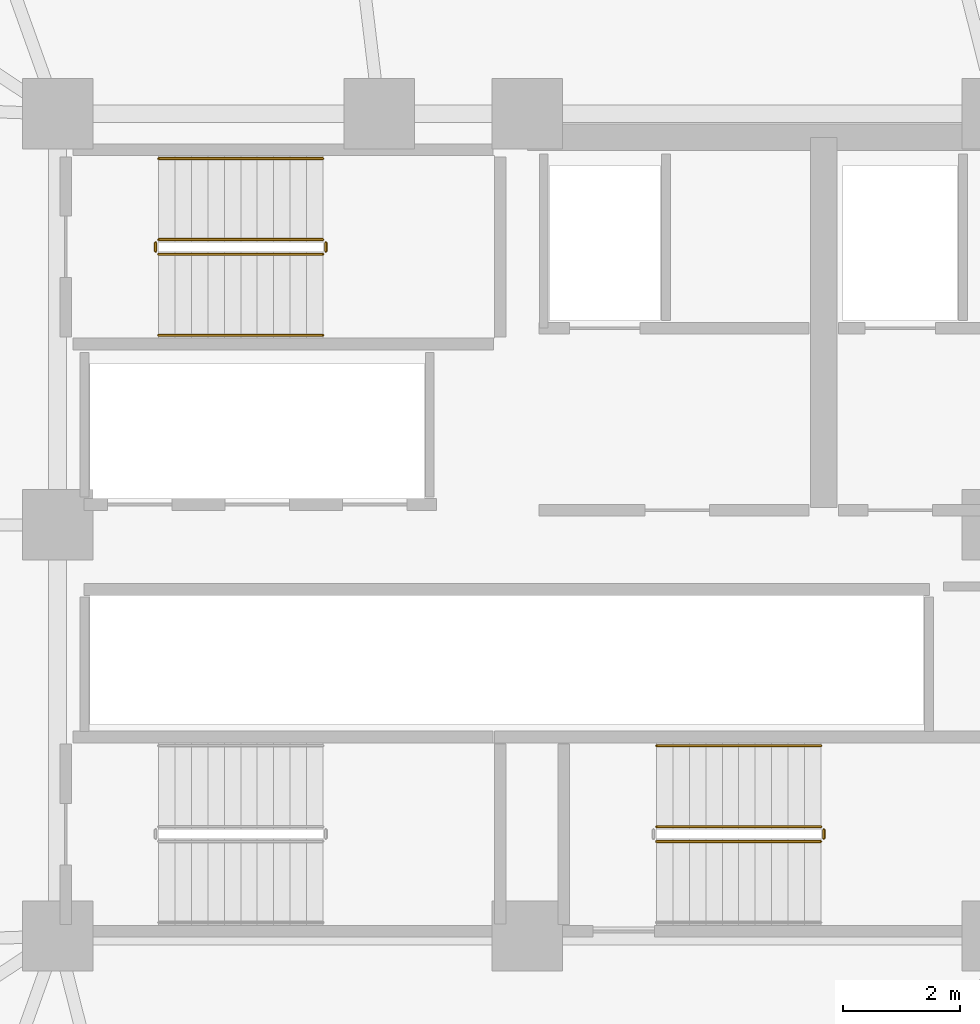
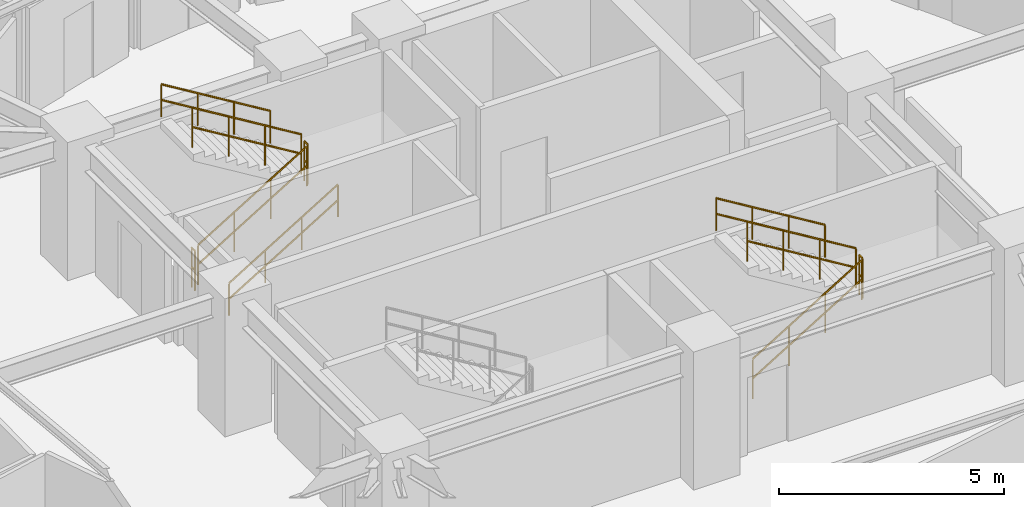
# One storey, part 34 of 35: 10 railings.
"""IFC4 building model written with IfcOpenShell, lengths in metres."""

from ifc_helpers import new_model, si_unit, direction, frame, origin, place, context, subcontext, project, spatial, polyline, outline, extrude, material, type_object, element, save


model = new_model("IFC4")

# Units and contexts
model_context = context("Model", 3, precision=1e-05, world=origin(), true_north=direction((0.0, 1.0)))
body_context = subcontext(model_context, "Body", "Model", "MODEL_VIEW")
ifc_project = project(units=[si_unit("LENGTHUNIT", "METRE"), si_unit("AREAUNIT", "SQUARE_METRE"), si_unit("VOLUMEUNIT", "CUBIC_METRE"), si_unit("PLANEANGLEUNIT", "RADIAN"), si_unit("MASSUNIT", "GRAM", prefix="KILO")], contexts=[model_context])

# Site, building, storey
site_placement = place(None, origin())
site = spatial("IfcSite", under=ifc_project, at=site_placement, CompositionType="ELEMENT")
building_placement = place(site_placement, origin())
building = spatial("IfcBuilding", under=site, at=building_placement, Name="Kelanora Arch Commons", CompositionType="ELEMENT")
storey_placement = place(building_placement, frame((0.0, 0.0, 121.35009765625)))
storey = spatial("IfcBuildingStorey", under=building, at=storey_placement, Name="L31", CompositionType="ELEMENT", Elevation=121.35009765625)

# Railings
ifc_material_1 = material(Name="Painted steel stair well guard", Category="steel")
railing_type_1 = type_object("IfcRailingType", Name="RAIL-STAIR-GRD", PredefinedType="GUARDRAIL", material=ifc_material_1)
railing_1_placement = place(storey_placement, frame((67.719970703125, 62.610107421875, 0.17041015625)))
element("IfcRailing", 1, at=railing_1_placement, inside=storey, type_object=railing_type_1, Name="L31 ST-T1 stair guard 1", PredefinedType="GUARDRAIL", context=body_context, shape_type="SweptSolid", body=[
    extrude(outline(polyline([(0.02392578125, 0.0), (0.011962890625, 0.020751953125), (-0.011962890625, 0.020751953125), (-0.02392578125, 0.0), (-0.011962890625, -0.020751953125), (0.011962890625, -0.020751953125), (0.02392578125, 0.0)])), frame((0.0, 0.0, 1.076171875), z_axis=(0.854169791009, 0.0, 0.51999420009), x_axis=(0.0, 1.0, 0.0)), (0.0, 0.0, 1.0), 3.278076171875),
    extrude(outline(polyline([(0.02392578125, 0.0), (0.011962890625, 0.020751953125), (-0.011962890625, 0.020751953125), (-0.02392578125, 0.0), (-0.011962890625, -0.020751953125), (0.011962890625, -0.020751953125), (0.02392578125, 0.0)])), frame((0.0, 0.0, 0.550048828125), z_axis=(0.854169791009, 0.0, 0.51999420009), x_axis=(0.0, 1.0, 0.0)), (0.0, 0.0, 1.0), 3.278076171875),
    extrude(outline(polyline([(0.02099609375, 0.0), (0.010498046875, 0.01806640625), (-0.010498046875, 0.01806640625), (-0.02099609375, 0.0), (-0.010498046875, -0.01806640625), (0.010498046875, -0.01806640625), (0.02099609375, 0.0)])), origin(), (0.0, 0.0, 1.0), 1.052001953125),
    extrude(outline(polyline([(0.02099609375, 0.0), (0.010498046875, 0.01806640625), (-0.010498046875, 0.01806640625), (-0.02099609375, 0.0), (-0.010498046875, -0.01806640625), (0.010498046875, -0.01806640625), (0.02099609375, 0.0)])), frame((0.933349609375, 0.0, 0.568115234375)), (0.0, 0.0, 1.0), 1.052001953125),
    extrude(outline(polyline([(0.02099609375, 0.0), (0.010498046875, 0.01806640625), (-0.010498046875, 0.01806640625), (-0.02099609375, 0.0), (-0.010498046875, -0.01806640625), (0.010498046875, -0.01806640625), (0.02099609375, 0.0)])), frame((1.86669921875, 0.0, 1.136474609375)), (0.0, 0.0, 1.0), 1.052001953125),
    extrude(outline(polyline([(0.02099609375, 0.0), (0.010498046875, 0.01806640625), (-0.010498046875, 0.01806640625), (-0.02099609375, 0.0), (-0.010498046875, -0.01806640625), (0.010498046875, -0.01806640625), (0.02099609375, 0.0)])), frame((2.800048828125, 0.0, 1.70458984375)), (0.0, 0.0, 1.0), 1.052001953125),
])
railing_2_placement = place(storey_placement, frame((70.570068359375, 62.659912109375, 1.875)))
element("IfcRailing", 2, at=railing_2_placement, inside=storey, type_object=railing_type_1, Name="L31 ST-T1 stair guard 2", PredefinedType="GUARDRAIL", context=body_context, shape_type="SweptSolid", body=[
    extrude(outline(polyline([(0.02392578125, 0.0), (0.011962890625, 0.020751953125), (-0.011962890625, 0.020751953125), (-0.02392578125, 0.0), (-0.011962890625, -0.020751953125), (0.011962890625, -0.020751953125), (0.02392578125, 0.0)])), frame((0.0, 0.0, 1.076171875), z_axis=(0.0, 1.0, 0.0), x_axis=(-1.0, 0.0, 0.0)), (0.0, 0.0, 1.0), 0.150146484375),
    extrude(outline(polyline([(0.02392578125, 0.0), (0.011962890625, 0.020751953125), (-0.011962890625, 0.020751953125), (-0.02392578125, 0.0), (-0.011962890625, -0.020751953125), (0.011962890625, -0.020751953125), (0.02392578125, 0.0)])), frame((0.0, 0.0, 0.550048828125), z_axis=(0.0, 1.0, 0.0), x_axis=(-1.0, 0.0, 0.0)), (0.0, 0.0, 1.0), 0.150146484375),
    extrude(outline(polyline([(0.02099609375, 0.0), (0.010498046875, 0.01806640625), (-0.010498046875, 0.01806640625), (-0.02099609375, 0.0), (-0.010498046875, -0.01806640625), (0.010498046875, -0.01806640625), (0.02099609375, 0.0)])), origin(), (0.0, 0.0, 1.0), 1.052001953125),
    extrude(outline(polyline([(0.02099609375, 0.0), (0.010498046875, 0.01806640625), (-0.010498046875, 0.01806640625), (-0.02099609375, 0.0), (-0.010498046875, -0.01806640625), (0.010498046875, -0.01806640625), (0.02099609375, 0.0)])), frame((0.0, 0.150146484375, 0.0)), (0.0, 0.0, 1.0), 1.052001953125),
])
railing_3_placement = place(storey_placement, frame((70.52001953125, 62.860107421875, 2.04541015625)))
element("IfcRailing", 3, at=railing_3_placement, inside=storey, type_object=railing_type_1, Name="L31 ST-T1 stair guard 3", PredefinedType="GUARDRAIL", context=body_context, shape_type="SweptSolid", body=[
    extrude(outline(polyline([(0.02392578125, 0.0), (0.011962890625, 0.020751953125), (-0.011962890625, 0.020751953125), (-0.02392578125, 0.0), (-0.011962890625, -0.020751953125), (0.011962890625, -0.020751953125), (0.02392578125, 0.0)])), frame((0.0, 0.0, 1.076171875), z_axis=(-0.854169791009, 0.0, 0.51999420009), x_axis=(0.0, -1.0, 0.0)), (0.0, 0.0, 1.0), 3.278076171875),
    extrude(outline(polyline([(0.02392578125, 0.0), (0.011962890625, 0.020751953125), (-0.011962890625, 0.020751953125), (-0.02392578125, 0.0), (-0.011962890625, -0.020751953125), (0.011962890625, -0.020751953125), (0.02392578125, 0.0)])), frame((0.0, 0.0, 0.550048828125), z_axis=(-0.854169791009, 0.0, 0.51999420009), x_axis=(0.0, -1.0, 0.0)), (0.0, 0.0, 1.0), 3.278076171875),
    extrude(outline(polyline([(0.02099609375, 0.0), (0.010498046875, 0.01806640625), (-0.010498046875, 0.01806640625), (-0.02099609375, 0.0), (-0.010498046875, -0.01806640625), (0.010498046875, -0.01806640625), (0.02099609375, 0.0)])), origin(), (0.0, 0.0, 1.0), 1.052001953125),
    extrude(outline(polyline([(0.02099609375, 0.0), (0.010498046875, 0.01806640625), (-0.010498046875, 0.01806640625), (-0.02099609375, 0.0), (-0.010498046875, -0.01806640625), (0.010498046875, -0.01806640625), (0.02099609375, 0.0)])), frame((-0.933349609375, 0.0, 0.568115234375)), (0.0, 0.0, 1.0), 1.052001953125),
    extrude(outline(polyline([(0.02099609375, 0.0), (0.010498046875, 0.01806640625), (-0.010498046875, 0.01806640625), (-0.02099609375, 0.0), (-0.010498046875, -0.01806640625), (0.010498046875, -0.01806640625), (0.02099609375, 0.0)])), frame((-1.86669921875, 0.0, 1.136474609375)), (0.0, 0.0, 1.0), 1.052001953125),
    extrude(outline(polyline([(0.02099609375, 0.0), (0.010498046875, 0.01806640625), (-0.010498046875, 0.01806640625), (-0.02099609375, 0.0), (-0.010498046875, -0.01806640625), (0.010498046875, -0.01806640625), (0.02099609375, 0.0)])), frame((-2.800048828125, 0.0, 1.70458984375)), (0.0, 0.0, 1.0), 1.052001953125),
])
railing_4_placement = place(storey_placement, frame((67.669921875, 62.659912109375, 0.0)))
element("IfcRailing", 4, at=railing_4_placement, inside=storey, type_object=railing_type_1, Name="L31 ST-T1 stair guard 4", PredefinedType="GUARDRAIL", context=body_context, shape_type="SweptSolid", body=[
    extrude(outline(polyline([(0.02392578125, 0.0), (0.011962890625, 0.020751953125), (-0.011962890625, 0.020751953125), (-0.02392578125, 0.0), (-0.011962890625, -0.020751953125), (0.011962890625, -0.020751953125), (0.02392578125, 0.0)])), frame((0.0, 0.0, 1.076171875), z_axis=(0.0, 1.0, 0.0), x_axis=(-1.0, 0.0, 0.0)), (0.0, 0.0, 1.0), 0.150146484375),
    extrude(outline(polyline([(0.02392578125, 0.0), (0.011962890625, 0.020751953125), (-0.011962890625, 0.020751953125), (-0.02392578125, 0.0), (-0.011962890625, -0.020751953125), (0.011962890625, -0.020751953125), (0.02392578125, 0.0)])), frame((0.0, 0.0, 0.550048828125), z_axis=(0.0, 1.0, 0.0), x_axis=(-1.0, 0.0, 0.0)), (0.0, 0.0, 1.0), 0.150146484375),
    extrude(outline(polyline([(0.02099609375, 0.0), (0.010498046875, 0.01806640625), (-0.010498046875, 0.01806640625), (-0.02099609375, 0.0), (-0.010498046875, -0.01806640625), (0.010498046875, -0.01806640625), (0.02099609375, 0.0)])), origin(), (0.0, 0.0, 1.0), 1.052001953125),
    extrude(outline(polyline([(0.02099609375, 0.0), (0.010498046875, 0.01806640625), (-0.010498046875, 0.01806640625), (-0.02099609375, 0.0), (-0.010498046875, -0.01806640625), (0.010498046875, -0.01806640625), (0.02099609375, 0.0)])), frame((0.0, 0.150146484375, 0.0)), (0.0, 0.0, 1.0), 1.052001953125),
])
railing_5_placement = place(storey_placement, frame((76.199951171875, 52.610107421875, 0.17041015625)))
element("IfcRailing", 5, at=railing_5_placement, inside=storey, type_object=railing_type_1, Name="L31 ST-T2 stair guard 1", PredefinedType="GUARDRAIL", context=body_context, shape_type="SweptSolid", body=[
    extrude(outline(polyline([(0.02392578125, 0.0), (0.011962890625, 0.020751953125), (-0.011962890625, 0.020751953125), (-0.02392578125, 0.0), (-0.011962890625, -0.020751953125), (0.011962890625, -0.020751953125), (0.02392578125, 0.0)])), frame((0.0, 0.0, 1.076171875), z_axis=(0.854169791009, 0.0, 0.51999420009), x_axis=(0.0, 1.0, 0.0)), (0.0, 0.0, 1.0), 3.278076171875),
    extrude(outline(polyline([(0.02392578125, 0.0), (0.011962890625, 0.020751953125), (-0.011962890625, 0.020751953125), (-0.02392578125, 0.0), (-0.011962890625, -0.020751953125), (0.011962890625, -0.020751953125), (0.02392578125, 0.0)])), frame((0.0, 0.0, 0.550048828125), z_axis=(0.854169791009, 0.0, 0.51999420009), x_axis=(0.0, 1.0, 0.0)), (0.0, 0.0, 1.0), 3.278076171875),
    extrude(outline(polyline([(0.02099609375, 0.0), (0.010498046875, 0.01806640625), (-0.010498046875, 0.01806640625), (-0.02099609375, 0.0), (-0.010498046875, -0.01806640625), (0.010498046875, -0.01806640625), (0.02099609375, 0.0)])), origin(), (0.0, 0.0, 1.0), 1.052001953125),
    extrude(outline(polyline([(0.02099609375, 0.0), (0.010498046875, 0.01806640625), (-0.010498046875, 0.01806640625), (-0.02099609375, 0.0), (-0.010498046875, -0.01806640625), (0.010498046875, -0.01806640625), (0.02099609375, 0.0)])), frame((0.933349609375, 0.0, 0.568115234375)), (0.0, 0.0, 1.0), 1.052001953125),
    extrude(outline(polyline([(0.02099609375, 0.0), (0.010498046875, 0.01806640625), (-0.010498046875, 0.01806640625), (-0.02099609375, 0.0), (-0.010498046875, -0.01806640625), (0.010498046875, -0.01806640625), (0.02099609375, 0.0)])), frame((1.86669921875, 0.0, 1.136474609375)), (0.0, 0.0, 1.0), 1.052001953125),
    extrude(outline(polyline([(0.02099609375, 0.0), (0.010498046875, 0.01806640625), (-0.010498046875, 0.01806640625), (-0.02099609375, 0.0), (-0.010498046875, -0.01806640625), (0.010498046875, -0.01806640625), (0.02099609375, 0.0)])), frame((2.800048828125, 0.0, 1.70458984375)), (0.0, 0.0, 1.0), 1.052001953125),
])
railing_6_placement = place(storey_placement, frame((79.050048828125, 52.659912109375, 1.875)))
element("IfcRailing", 6, at=railing_6_placement, inside=storey, type_object=railing_type_1, Name="L31 ST-T2 stair guard 2", PredefinedType="GUARDRAIL", context=body_context, shape_type="SweptSolid", body=[
    extrude(outline(polyline([(0.02392578125, 0.0), (0.011962890625, 0.020751953125), (-0.011962890625, 0.020751953125), (-0.02392578125, 0.0), (-0.011962890625, -0.020751953125), (0.011962890625, -0.020751953125), (0.02392578125, 0.0)])), frame((0.0, 0.0, 1.076171875), z_axis=(0.0, 1.0, 0.0), x_axis=(-1.0, 0.0, 0.0)), (0.0, 0.0, 1.0), 0.150146484375),
    extrude(outline(polyline([(0.02392578125, 0.0), (0.011962890625, 0.020751953125), (-0.011962890625, 0.020751953125), (-0.02392578125, 0.0), (-0.011962890625, -0.020751953125), (0.011962890625, -0.020751953125), (0.02392578125, 0.0)])), frame((0.0, 0.0, 0.550048828125), z_axis=(0.0, 1.0, 0.0), x_axis=(-1.0, 0.0, 0.0)), (0.0, 0.0, 1.0), 0.150146484375),
    extrude(outline(polyline([(0.02099609375, 0.0), (0.010498046875, 0.01806640625), (-0.010498046875, 0.01806640625), (-0.02099609375, 0.0), (-0.010498046875, -0.01806640625), (0.010498046875, -0.01806640625), (0.02099609375, 0.0)])), origin(), (0.0, 0.0, 1.0), 1.052001953125),
    extrude(outline(polyline([(0.02099609375, 0.0), (0.010498046875, 0.01806640625), (-0.010498046875, 0.01806640625), (-0.02099609375, 0.0), (-0.010498046875, -0.01806640625), (0.010498046875, -0.01806640625), (0.02099609375, 0.0)])), frame((0.0, 0.150146484375, 0.0)), (0.0, 0.0, 1.0), 1.052001953125),
])
railing_7_placement = place(storey_placement, frame((79.0, 52.860107421875, 2.04541015625)))
element("IfcRailing", 7, at=railing_7_placement, inside=storey, type_object=railing_type_1, Name="L31 ST-T2 stair guard 3", PredefinedType="GUARDRAIL", context=body_context, shape_type="SweptSolid", body=[
    extrude(outline(polyline([(0.02392578125, 0.0), (0.011962890625, 0.020751953125), (-0.011962890625, 0.020751953125), (-0.02392578125, 0.0), (-0.011962890625, -0.020751953125), (0.011962890625, -0.020751953125), (0.02392578125, 0.0)])), frame((0.0, 0.0, 1.076171875), z_axis=(-0.854169791009, 0.0, 0.51999420009), x_axis=(0.0, -1.0, 0.0)), (0.0, 0.0, 1.0), 3.278076171875),
    extrude(outline(polyline([(0.02392578125, 0.0), (0.011962890625, 0.020751953125), (-0.011962890625, 0.020751953125), (-0.02392578125, 0.0), (-0.011962890625, -0.020751953125), (0.011962890625, -0.020751953125), (0.02392578125, 0.0)])), frame((0.0, 0.0, 0.550048828125), z_axis=(-0.854169791009, 0.0, 0.51999420009), x_axis=(0.0, -1.0, 0.0)), (0.0, 0.0, 1.0), 3.278076171875),
    extrude(outline(polyline([(0.02099609375, 0.0), (0.010498046875, 0.01806640625), (-0.010498046875, 0.01806640625), (-0.02099609375, 0.0), (-0.010498046875, -0.01806640625), (0.010498046875, -0.01806640625), (0.02099609375, 0.0)])), origin(), (0.0, 0.0, 1.0), 1.052001953125),
    extrude(outline(polyline([(0.02099609375, 0.0), (0.010498046875, 0.01806640625), (-0.010498046875, 0.01806640625), (-0.02099609375, 0.0), (-0.010498046875, -0.01806640625), (0.010498046875, -0.01806640625), (0.02099609375, 0.0)])), frame((-0.933349609375, 0.0, 0.568115234375)), (0.0, 0.0, 1.0), 1.052001953125),
    extrude(outline(polyline([(0.02099609375, 0.0), (0.010498046875, 0.01806640625), (-0.010498046875, 0.01806640625), (-0.02099609375, 0.0), (-0.010498046875, -0.01806640625), (0.010498046875, -0.01806640625), (0.02099609375, 0.0)])), frame((-1.86669921875, 0.0, 1.136474609375)), (0.0, 0.0, 1.0), 1.052001953125),
    extrude(outline(polyline([(0.02099609375, 0.0), (0.010498046875, 0.01806640625), (-0.010498046875, 0.01806640625), (-0.02099609375, 0.0), (-0.010498046875, -0.01806640625), (0.010498046875, -0.01806640625), (0.02099609375, 0.0)])), frame((-2.800048828125, 0.0, 1.70458984375)), (0.0, 0.0, 1.0), 1.052001953125),
])
ifc_material_2 = material(Name="Brushed stainless steel stair handrail", Category="steel")
railing_type_2 = type_object("IfcRailingType", Name="RAIL-STAIR-HND", PredefinedType="HANDRAIL", material=ifc_material_2)
railing_8_placement = place(storey_placement, frame((67.719970703125, 61.22998046875, 0.17041015625)))
element("IfcRailing", 8, at=railing_8_placement, inside=storey, type_object=railing_type_2, Name="L31 ST-T1 stair handrail 1", PredefinedType="HANDRAIL", context=body_context, shape_type="SweptSolid", body=[
    extrude(outline(polyline([(0.02392578125, 0.0), (0.011962890625, 0.020751953125), (-0.011962890625, 0.020751953125), (-0.02392578125, 0.0), (-0.011962890625, -0.020751953125), (0.011962890625, -0.020751953125), (0.02392578125, 0.0)])), frame((0.0, 0.0, 0.8759765625), z_axis=(0.854169791009, 0.0, 0.51999420009), x_axis=(0.0, 1.0, 0.0)), (0.0, 0.0, 1.0), 3.278076171875),
    extrude(outline(polyline([(0.02392578125, 0.0), (0.011962890625, 0.020751953125), (-0.011962890625, 0.020751953125), (-0.02392578125, 0.0), (-0.011962890625, -0.020751953125), (0.011962890625, -0.020751953125), (0.02392578125, 0.0)])), frame((0.0, 0.0, 0.449951171875), z_axis=(0.854169791009, 0.0, 0.51999420009), x_axis=(0.0, 1.0, 0.0)), (0.0, 0.0, 1.0), 3.278076171875),
    extrude(outline(polyline([(0.02099609375, 0.0), (0.010498046875, 0.01806640625), (-0.010498046875, 0.01806640625), (-0.02099609375, 0.0), (-0.010498046875, -0.01806640625), (0.010498046875, -0.01806640625), (0.02099609375, 0.0)])), origin(), (0.0, 0.0, 1.0), 0.851806640625),
    extrude(outline(polyline([(0.02099609375, 0.0), (0.010498046875, 0.01806640625), (-0.010498046875, 0.01806640625), (-0.02099609375, 0.0), (-0.010498046875, -0.01806640625), (0.010498046875, -0.01806640625), (0.02099609375, 0.0)])), frame((0.933349609375, 0.0, 0.568115234375)), (0.0, 0.0, 1.0), 0.851806640625),
    extrude(outline(polyline([(0.02099609375, 0.0), (0.010498046875, 0.01806640625), (-0.010498046875, 0.01806640625), (-0.02099609375, 0.0), (-0.010498046875, -0.01806640625), (0.010498046875, -0.01806640625), (0.02099609375, 0.0)])), frame((1.86669921875, 0.0, 1.136474609375)), (0.0, 0.0, 1.0), 0.851806640625),
    extrude(outline(polyline([(0.02099609375, 0.0), (0.010498046875, 0.01806640625), (-0.010498046875, 0.01806640625), (-0.02099609375, 0.0), (-0.010498046875, -0.01806640625), (0.010498046875, -0.01806640625), (0.02099609375, 0.0)])), frame((2.800048828125, 0.0, 1.70458984375)), (0.0, 0.0, 1.0), 0.851806640625),
])
railing_9_placement = place(storey_placement, frame((70.52001953125, 64.239990234375, 2.04541015625)))
element("IfcRailing", 9, at=railing_9_placement, inside=storey, type_object=railing_type_2, Name="L31 ST-T1 stair handrail 2", PredefinedType="HANDRAIL", context=body_context, shape_type="SweptSolid", body=[
    extrude(outline(polyline([(0.02392578125, 0.0), (0.011962890625, 0.020751953125), (-0.011962890625, 0.020751953125), (-0.02392578125, 0.0), (-0.011962890625, -0.020751953125), (0.011962890625, -0.020751953125), (0.02392578125, 0.0)])), frame((0.0, 0.0, 0.8759765625), z_axis=(-0.854169791009, 0.0, 0.51999420009), x_axis=(0.0, -1.0, 0.0)), (0.0, 0.0, 1.0), 3.278076171875),
    extrude(outline(polyline([(0.02392578125, 0.0), (0.011962890625, 0.020751953125), (-0.011962890625, 0.020751953125), (-0.02392578125, 0.0), (-0.011962890625, -0.020751953125), (0.011962890625, -0.020751953125), (0.02392578125, 0.0)])), frame((0.0, 0.0, 0.449951171875), z_axis=(-0.854169791009, 0.0, 0.51999420009), x_axis=(0.0, -1.0, 0.0)), (0.0, 0.0, 1.0), 3.278076171875),
    extrude(outline(polyline([(0.02099609375, 0.0), (0.010498046875, 0.01806640625), (-0.010498046875, 0.01806640625), (-0.02099609375, 0.0), (-0.010498046875, -0.01806640625), (0.010498046875, -0.01806640625), (0.02099609375, 0.0)])), origin(), (0.0, 0.0, 1.0), 0.851806640625),
    extrude(outline(polyline([(0.02099609375, 0.0), (0.010498046875, 0.01806640625), (-0.010498046875, 0.01806640625), (-0.02099609375, 0.0), (-0.010498046875, -0.01806640625), (0.010498046875, -0.01806640625), (0.02099609375, 0.0)])), frame((-0.933349609375, 0.0, 0.568115234375)), (0.0, 0.0, 1.0), 0.851806640625),
    extrude(outline(polyline([(0.02099609375, 0.0), (0.010498046875, 0.01806640625), (-0.010498046875, 0.01806640625), (-0.02099609375, 0.0), (-0.010498046875, -0.01806640625), (0.010498046875, -0.01806640625), (0.02099609375, 0.0)])), frame((-1.86669921875, 0.0, 1.136474609375)), (0.0, 0.0, 1.0), 0.851806640625),
    extrude(outline(polyline([(0.02099609375, 0.0), (0.010498046875, 0.01806640625), (-0.010498046875, 0.01806640625), (-0.02099609375, 0.0), (-0.010498046875, -0.01806640625), (0.010498046875, -0.01806640625), (0.02099609375, 0.0)])), frame((-2.800048828125, 0.0, 1.70458984375)), (0.0, 0.0, 1.0), 0.851806640625),
])
railing_10_placement = place(storey_placement, frame((79.0, 54.239990234375, 2.04541015625)))
element("IfcRailing", 10, at=railing_10_placement, inside=storey, type_object=railing_type_2, Name="L31 ST-T2 stair handrail 2", PredefinedType="HANDRAIL", context=body_context, shape_type="SweptSolid", body=[
    extrude(outline(polyline([(0.02392578125, 0.0), (0.011962890625, 0.020751953125), (-0.011962890625, 0.020751953125), (-0.02392578125, 0.0), (-0.011962890625, -0.020751953125), (0.011962890625, -0.020751953125), (0.02392578125, 0.0)])), frame((0.0, 0.0, 0.8759765625), z_axis=(-0.854169791009, 0.0, 0.51999420009), x_axis=(0.0, -1.0, 0.0)), (0.0, 0.0, 1.0), 3.278076171875),
    extrude(outline(polyline([(0.02392578125, 0.0), (0.011962890625, 0.020751953125), (-0.011962890625, 0.020751953125), (-0.02392578125, 0.0), (-0.011962890625, -0.020751953125), (0.011962890625, -0.020751953125), (0.02392578125, 0.0)])), frame((0.0, 0.0, 0.449951171875), z_axis=(-0.854169791009, 0.0, 0.51999420009), x_axis=(0.0, -1.0, 0.0)), (0.0, 0.0, 1.0), 3.278076171875),
    extrude(outline(polyline([(0.02099609375, 0.0), (0.010498046875, 0.01806640625), (-0.010498046875, 0.01806640625), (-0.02099609375, 0.0), (-0.010498046875, -0.01806640625), (0.010498046875, -0.01806640625), (0.02099609375, 0.0)])), origin(), (0.0, 0.0, 1.0), 0.851806640625),
    extrude(outline(polyline([(0.02099609375, 0.0), (0.010498046875, 0.01806640625), (-0.010498046875, 0.01806640625), (-0.02099609375, 0.0), (-0.010498046875, -0.01806640625), (0.010498046875, -0.01806640625), (0.02099609375, 0.0)])), frame((-0.933349609375, 0.0, 0.568115234375)), (0.0, 0.0, 1.0), 0.851806640625),
    extrude(outline(polyline([(0.02099609375, 0.0), (0.010498046875, 0.01806640625), (-0.010498046875, 0.01806640625), (-0.02099609375, 0.0), (-0.010498046875, -0.01806640625), (0.010498046875, -0.01806640625), (0.02099609375, 0.0)])), frame((-1.86669921875, 0.0, 1.136474609375)), (0.0, 0.0, 1.0), 0.851806640625),
    extrude(outline(polyline([(0.02099609375, 0.0), (0.010498046875, 0.01806640625), (-0.010498046875, 0.01806640625), (-0.02099609375, 0.0), (-0.010498046875, -0.01806640625), (0.010498046875, -0.01806640625), (0.02099609375, 0.0)])), frame((-2.800048828125, 0.0, 1.70458984375)), (0.0, 0.0, 1.0), 0.851806640625),
])

save(model, "model.ifc")
